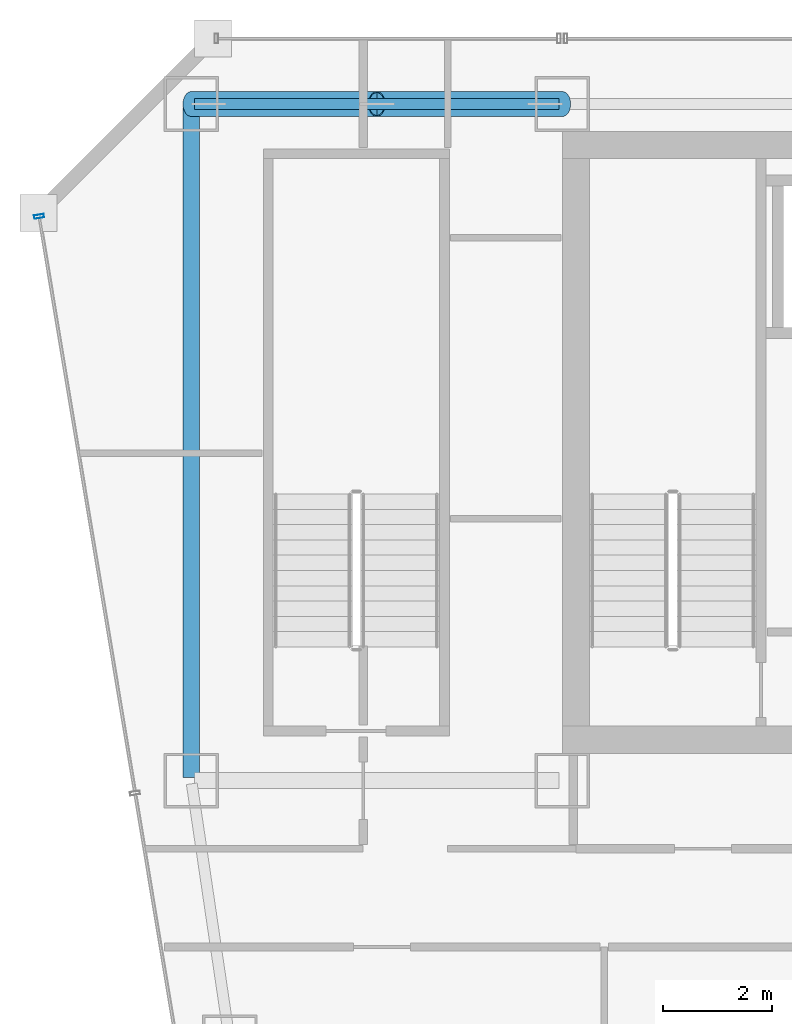
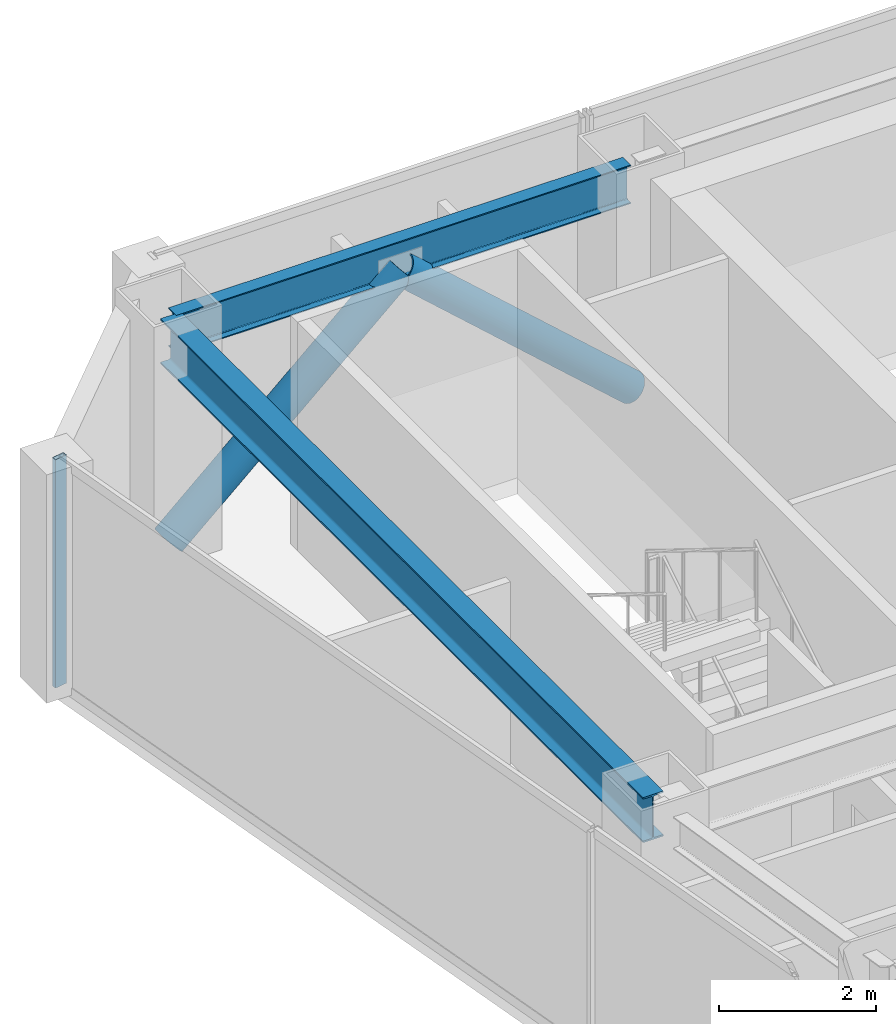
# One storey, part 20 of 36: 3 members, 2 beams, 1 element without a shape of its own.
"""IFC4 building model written with IfcOpenShell, lengths in metres."""

import ifcopenshell
import ifcopenshell.guid

model = None  # the IFC model being written
_history = None  # IfcOwnerHistory: only IFC2X3 demands one
_inside = {}  # id of a spatial element -> (the spatial element, [elements in it])
_under = {}  # id of a project, library or spatial element -> (it, [spatial elements below it])
_declared = {}  # id of a project -> (the project, [libraries it declares])
_typed = {}  # id of a type object -> (the type object, [elements of that type])
_made_of = {}  # id of a material, layer set ... -> (it, [elements and type objects made of it])


def new_model(schema):
    """Start an empty IFC model of exactly this schema.

    Asked for "IFC4X3", IfcOpenShell would pick the latest addendum, in which some entities
    have other attributes; the version numbers below select the first issue.
    IFC2X3 requires an IfcOwnerHistory on every rooted entity: one is made here for all.
    """
    global model, _history
    if schema == "IFC4X3":
        model = ifcopenshell.file(schema_version=(4, 3, 0, 0))
    else:
        model = ifcopenshell.file(schema=schema)
    _inside.clear()
    _under.clear()
    _declared.clear()
    _typed.clear()
    _made_of.clear()
    _history = None
    if model.schema == "IFC2X3":
        org = make("IfcOrganization", Name="unknown")
        user = make(
            "IfcPersonAndOrganization",
            ThePerson=make("IfcPerson", FamilyName="unknown"),
            TheOrganization=org,
        )
        app = make(
            "IfcApplication",
            ApplicationDeveloper=org,
            Version="unknown",
            ApplicationFullName="unknown",
            ApplicationIdentifier="unknown",
        )
        _history = make(
            "IfcOwnerHistory",
            OwningUser=user,
            OwningApplication=app,
            ChangeAction="ADDED",
            CreationDate=0,
        )
    return model


def make(cls, **values):
    """One entity of the class cls with the attributes given. An attribute that is None is left unset."""
    return model.create_entity(
        cls, **{name: value for name, value in values.items() if value is not None}
    )


def rooted(cls, **values):
    """An entity with a GlobalId (a new one), such as an element, a storey or a relation."""
    return make(cls, GlobalId=ifcopenshell.guid.new(), OwnerHistory=_history, **values)


def si_unit(unit_type, name, prefix=None):
    """IfcSIUnit, for example si_unit("LENGTHUNIT", "METRE", prefix="MILLI")."""
    return make("IfcSIUnit", UnitType=unit_type, Prefix=prefix, Name=name)


def assignment(units):
    """IfcUnitAssignment: the units of a project."""
    return None if units is None else make("IfcUnitAssignment", Units=units)


def point(xyz):
    """IfcCartesianPoint."""
    return None if xyz is None else make("IfcCartesianPoint", Coordinates=xyz)


def direction(xyz):
    """IfcDirection."""
    return None if xyz is None else make("IfcDirection", DirectionRatios=xyz)


def frame(location, z_axis=None, x_axis=None):
    """IfcAxis2Placement3D, a coordinate frame: its origin and axes. An axis left out is left unset."""
    return make(
        "IfcAxis2Placement3D",
        Location=point(location),
        Axis=direction(z_axis),
        RefDirection=direction(x_axis),
    )


def frame_2d(location, x_axis=None):
    """IfcAxis2Placement2D, a coordinate frame in the plane: its origin and x axis."""
    return make(
        "IfcAxis2Placement2D", Location=point(location), RefDirection=direction(x_axis)
    )


def origin():
    """The frame at (0, 0, 0) with its axes left unset."""
    return frame((0.0, 0.0, 0.0))


def origin_2d():
    """The frame at (0, 0) in the plane with its x axis left unset."""
    return frame_2d((0.0, 0.0))


def place(relative_to, where):
    """IfcLocalPlacement: puts the frame where relative to a parent placement (None: the world)."""
    return make(
        "IfcLocalPlacement", PlacementRelTo=relative_to, RelativePlacement=where
    )


def context(
    kind, dimensions, precision=None, world=None, true_north=None, identifier=None
):
    """IfcGeometricRepresentationContext, for example the 3D "Model" context."""
    return make(
        "IfcGeometricRepresentationContext",
        ContextIdentifier=identifier,
        ContextType=kind,
        CoordinateSpaceDimension=dimensions,
        Precision=precision,
        WorldCoordinateSystem=world,
        TrueNorth=true_north,
    )


def subcontext(parent, identifier, kind, view, scale=None):
    """IfcGeometricRepresentationSubContext, for example "Body" below "Model"."""
    return make(
        "IfcGeometricRepresentationSubContext",
        ContextIdentifier=identifier,
        ContextType=kind,
        ParentContext=parent,
        TargetScale=scale,
        TargetView=view,
    )


def project(units=None, contexts=None):
    """IfcProject with its units and contexts."""
    return rooted(
        "IfcProject",
        Name="project",
        RepresentationContexts=contexts,
        UnitsInContext=assignment(units),
    )


def spatial(cls, under=None, at=None, **own):
    """A site, building, storey or space (cls), placed at a placement, below another one or the project."""
    s = rooted(cls, ObjectPlacement=at, **own)
    if under is not None:
        _under.setdefault(under.id(), (under, []))[1].append(s)
    return s


def profile(cls, at=None, kind="AREA", **sizes):
    """A parametric profile (cls). Its sizes go by their IFC names, for example OverallWidth=200.0."""
    return make(cls, ProfileType=kind, Position=at, **sizes)


def hollow_rectangle(**sizes):
    """IfcRectangleHollowProfileDef."""
    return profile("IfcRectangleHollowProfileDef", **sizes)


def hollow_circle(**sizes):
    """IfcCircleHollowProfileDef."""
    return profile("IfcCircleHollowProfileDef", **sizes)


def i_section(**sizes):
    """IfcIShapeProfileDef."""
    return profile("IfcIShapeProfileDef", **sizes)


def extrude(swept, where, along, depth):
    """IfcExtrudedAreaSolid: the profile swept, set in the frame where, extruded along a direction by depth."""
    return make(
        "IfcExtrudedAreaSolid",
        SweptArea=swept,
        Position=where,
        ExtrudedDirection=direction(along),
        Depth=depth,
    )


def shape(context_of_items, identifier, shape_type, items):
    """IfcShapeRepresentation: the items that make up one representation, for example the "Body"."""
    return make(
        "IfcShapeRepresentation",
        ContextOfItems=context_of_items,
        RepresentationIdentifier=identifier,
        RepresentationType=shape_type,
        Items=items,
    )


def material(Name=None, Category=None):
    """IfcMaterial."""
    return make("IfcMaterial", Name=Name, Category=Category)


def material_profile(
    of_material, cross_section, Name=None, Category=None, Priority=None
):
    """IfcMaterialProfile: a cross section and its material."""
    return make(
        "IfcMaterialProfile",
        Name=Name,
        Material=of_material,
        Profile=cross_section,
        Priority=Priority,
        Category=Category,
    )


def profile_set(profiles, Name=None, composite=None):
    """IfcMaterialProfileSet."""
    return make(
        "IfcMaterialProfileSet",
        Name=Name,
        MaterialProfiles=profiles,
        CompositeProfile=composite,
    )


def made_of(thing, what):
    """Note that an element or type object is made of a material, layer set ...; save() writes the relation."""
    if what is not None:
        _made_of.setdefault(what.id(), (what, []))[1].append(thing)
    return thing


def type_object(cls, material=None, **own):
    """A type object (cls), such as IfcWallType, which elements share."""
    return made_of(rooted(cls, **own), material)


def element(
    cls,
    number,
    at=None,
    inside=None,
    cuts=None,
    type_object=None,
    material=None,
    context=None,
    identifier="Body",
    shape_type=None,
    held_by="IfcProductDefinitionShape",
    body=None,
    shapes=None,
    **own,
):
    """One element of the class cls, such as IfcWall. Its Tag is "e" and its number.

    at: its placement. inside: the storey or other place that contains it. cuts: it is an
    opening in that element (IfcRelVoidsElement). A single representation is given by context,
    identifier, shape_type and body (its items); several are given by shapes. held_by: the class
    of the entity that holds the representations. save() writes the other relations.
    """
    e = rooted(cls, Tag="e%d" % number, ObjectPlacement=at, **own)
    if body is not None:
        shapes = [shape(context, identifier, shape_type, body)]
    if shapes is not None:
        e.Representation = make(held_by, Representations=shapes)
    if inside is not None:
        _inside.setdefault(inside.id(), (inside, []))[1].append(e)
    if cuts is not None:
        rooted(
            "IfcRelVoidsElement", RelatingBuildingElement=cuts, RelatedOpeningElement=e
        )
    if type_object is not None:
        _typed.setdefault(type_object.id(), (type_object, []))[1].append(e)
    return made_of(e, material)


def aggregate(whole, parts):
    """IfcRelAggregates: a whole, such as a stair, and the parts it consists of."""
    return rooted("IfcRelAggregates", RelatingObject=whole, RelatedObjects=parts)


def save(model, path):
    """Write the relations noted so far, then the file.

    IfcRelAggregates (storeys below a building ...), IfcRelContainedInSpatialStructure (elements
    in a storey), IfcRelDefinesByType, IfcRelAssociatesMaterial and IfcRelDeclares: one each for
    every whole, place, type object, material and project.
    """
    for whole, parts in _under.values():
        aggregate(whole, parts)
    for where, things in _inside.values():
        rooted(
            "IfcRelContainedInSpatialStructure",
            RelatedElements=things,
            RelatingStructure=where,
        )
    for kind, things in _typed.values():
        rooted("IfcRelDefinesByType", RelatedObjects=things, RelatingType=kind)
    for what, things in _made_of.values():
        rooted("IfcRelAssociatesMaterial", RelatedObjects=things, RelatingMaterial=what)
    for by, libraries in _declared.values():
        rooted("IfcRelDeclares", RelatingContext=by, RelatedDefinitions=libraries)
    model.write(path)


model = new_model("IFC4")

# Units and contexts
model_context = context("Model", 3, precision=1e-05, world=origin(), true_north=direction((0.0, 1.0)))
body_context = subcontext(model_context, "Body", "Model", "MODEL_VIEW")
ifc_project = project(units=[si_unit("LENGTHUNIT", "METRE"), si_unit("AREAUNIT", "SQUARE_METRE"), si_unit("VOLUMEUNIT", "CUBIC_METRE"), si_unit("PLANEANGLEUNIT", "RADIAN"), si_unit("MASSUNIT", "GRAM", prefix="KILO")], contexts=[model_context])

# Site, building, storey
site_placement = place(None, origin())
site = spatial("IfcSite", under=ifc_project, at=site_placement, CompositionType="ELEMENT")
building_placement = place(site_placement, origin())
building = spatial("IfcBuilding", under=site, at=building_placement, Name="Saevonmaru Cultural Tower", CompositionType="ELEMENT")
storey_placement = place(building_placement, frame((0.0, 0.0, 156.199951171875)))
storey = spatial("IfcBuildingStorey", under=building, at=storey_placement, Name="L34", CompositionType="ELEMENT", Elevation=156.199951171875)

# Beams
ifc_material_1 = material(Name="Steel SM355", Category="steel")
ifc_material_profile_1 = material_profile(ifc_material_1, i_section(OverallWidth=0.300048828125, OverallDepth=0.699951171875, WebThickness=0.012939453125, FlangeThickness=0.02392578125, FilletRadius=0.02587890625, at=origin_2d()), Name="H-700x300x13x24")
ifc_profile_set_1 = profile_set([ifc_material_profile_1], Name="Steel SM355")
beam_type_1 = type_object("IfcBeamType", Name="BM-G-H700", PredefinedType="BEAM", material=ifc_profile_set_1)
beam_1_placement = place(storey_placement, frame((6.800048828125, 54.739990234375, 3.199951171875), z_axis=(0.0, -1.0, 0.0), x_axis=(1.0, 0.0, 0.0)))
element("IfcBeam", 1, at=beam_1_placement, inside=storey, type_object=beam_type_1, Name="L34 Spine Transverse Girder W", PredefinedType="BEAM", context=body_context, shape_type="SweptSolid", body=[
    extrude(i_section(OverallWidth=0.300048828125, OverallDepth=0.699951171875, WebThickness=0.012939453125, FlangeThickness=0.02392578125, FilletRadius=0.02587890625, at=origin_2d()), origin(), (0.0, 0.0, 1.0), 12.280029296875),
])
ifc_material_profile_2 = material_profile(ifc_material_1, i_section(OverallWidth=0.199951171875, OverallDepth=0.60009765625, WebThickness=0.010986328125, FlangeThickness=0.01708984375, FilletRadius=0.02197265625, at=origin_2d()), Name="H-600x200x11x17")
ifc_profile_set_2 = profile_set([ifc_material_profile_2], Name="Steel SM355")
beam_type_2 = type_object("IfcBeamType", Name="BM-SP-H600", PredefinedType="SPANDREL", material=ifc_profile_set_2)
beam_2_placement = place(storey_placement, frame((6.860107421875, 54.800048828125, 3.25), z_axis=(1.0, 0.0, 0.0), x_axis=(0.0, 1.0, 0.0)))
element("IfcBeam", 2, at=beam_2_placement, inside=storey, type_object=beam_type_2, Name="L34 North Spine Girder 1", PredefinedType="SPANDREL", context=body_context, shape_type="SweptSolid", body=[
    extrude(i_section(OverallWidth=0.199951171875, OverallDepth=0.60009765625, WebThickness=0.010986328125, FlangeThickness=0.01708984375, FilletRadius=0.02197265625, at=origin_2d()), origin(), (0.0, 0.0, 1.0), 6.679931640625),
])

# Members
ifc_material_2 = material(Name="Steel SM420", Category="steel")
ifc_material_profile_3 = material_profile(ifc_material_2, hollow_circle(Radius=0.228515625, WallThickness=0.02001953125, at=origin_2d()), Name="CHS-457.2x20")
ifc_profile_set_3 = profile_set([ifc_material_profile_3], Name="Steel SM420")
member_type_1 = type_object("IfcMemberType", Name="MB-PBR-CHS457", PredefinedType="BRACE", material=ifc_profile_set_3)
for number, where, z_axis, x_axis, name in (
    (3, (6.800048828125, 54.800048828125, 0.02001953125), (0.744366945704, 0.0, 0.667770806597), (0.0, 1.0, 0.0), "L34 Perimeter Braced-Tube Diagonal WN1"),
    (4, (13.60009765625, 54.800048828125, 0.02001953125), (-0.744390779303, 0.0, 0.66774423823), (0.0, -1.0, 0.0), "L34 Perimeter Braced-Tube Diagonal WN2"),
):
    element("IfcMember", number, at=place(storey_placement, frame(where, z_axis=z_axis, x_axis=x_axis)), inside=storey, type_object=member_type_1, Name=name, PredefinedType="BRACE", context=body_context, shape_type="SweptSolid", body=[
        extrude(hollow_circle(Radius=0.228515625, WallThickness=0.02001953125, at=origin_2d()), origin(), (0.0, 0.0, 1.0), 4.567626953125),
    ])

# Curtain wall, member
ifc_material_3 = material(Name="Satin Bronze Anodised Aluminium", Category="aluminium")
curtain_wall_type = type_object("IfcCurtainWallType", Name="CW-TYP-A", PredefinedType="NOTDEFINED", material=ifc_material_3)
curtain_wall_placement = place(storey_placement, origin())
curtain_wall = element("IfcCurtainWall", 5, at=curtain_wall_placement, inside=storey, type_object=curtain_wall_type, Name="L34 Unitised Curtain Wall E12", PredefinedType="NOTDEFINED")
ifc_material_profile_4 = material_profile(ifc_material_3, hollow_rectangle(XDim=0.06494140625, YDim=0.179931640625, WallThickness=0.00390625, at=origin_2d()), Name="ALU-MULL-180x65x4")
ifc_profile_set_4 = profile_set([ifc_material_profile_4], Name="Satin Bronze Anodised Aluminium")
member_type_2 = type_object("IfcMemberType", Name="ML-CW-180x65", PredefinedType="MULLION", material=ifc_profile_set_4)
member_placement = place(storey_placement, frame((4.009765625, 52.74072265625, 0.0), z_axis=(0.0, 0.0, 1.0), x_axis=(0.163998702345, -0.986460554523, 0.0)))
member = element("IfcMember", 6, at=member_placement, type_object=member_type_2, Name="CW-TW-L34-E12 mullion 1", PredefinedType="MULLION", context=body_context, shape_type="SweptSolid", body=[
    extrude(hollow_rectangle(XDim=0.06494140625, YDim=0.179931640625, WallThickness=0.00390625, at=origin_2d()), origin(), (0.0, 0.0, 1.0), 3.550048828125),
])
aggregate(curtain_wall, [member])

save(model, "model.ifc")
